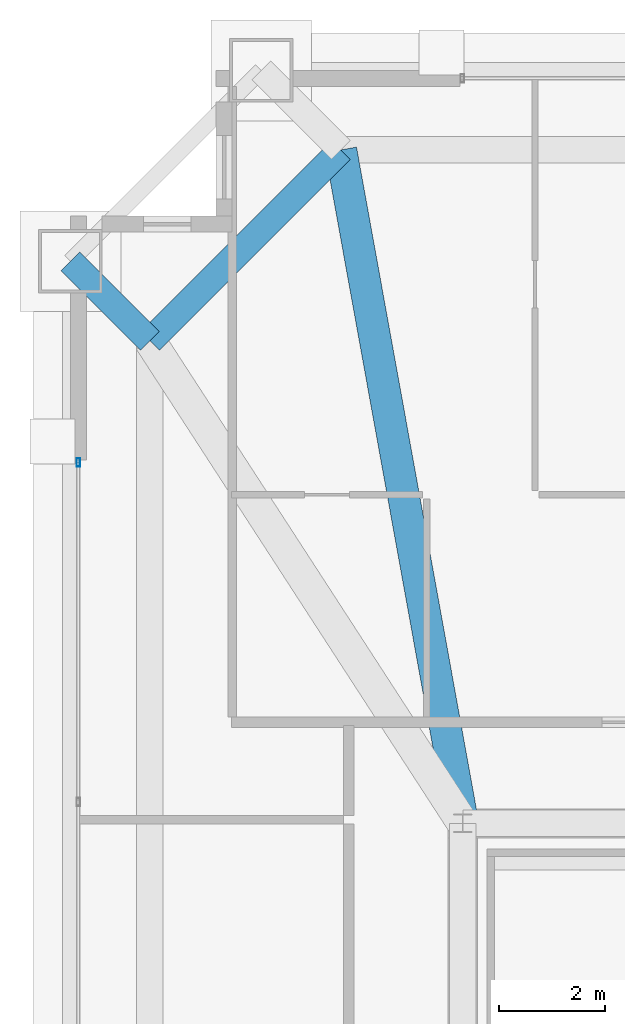
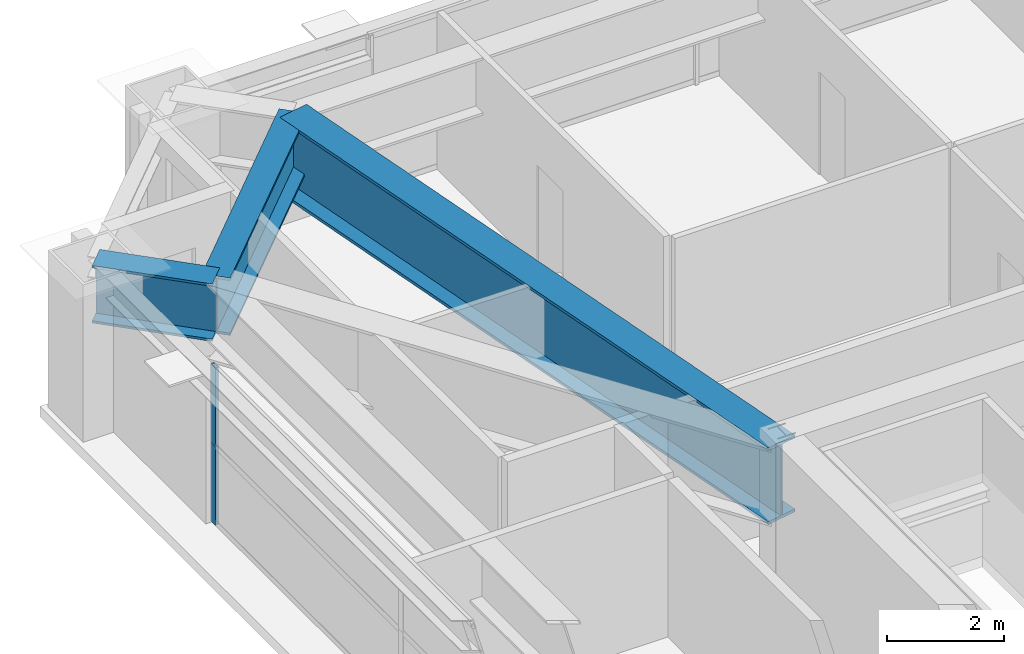
# One storey, part 20 of 33: 3 beams, 2 members, 1 element without a shape of its own.
"""IFC4 building model written with IfcOpenShell, lengths in metres."""

import ifcopenshell
import ifcopenshell.guid

model = None  # the IFC model being written
_history = None  # IfcOwnerHistory: only IFC2X3 demands one
_inside = {}  # id of a spatial element -> (the spatial element, [elements in it])
_under = {}  # id of a project, library or spatial element -> (it, [spatial elements below it])
_declared = {}  # id of a project -> (the project, [libraries it declares])
_typed = {}  # id of a type object -> (the type object, [elements of that type])
_made_of = {}  # id of a material, layer set ... -> (it, [elements and type objects made of it])


def new_model(schema):
    """Start an empty IFC model of exactly this schema.

    Asked for "IFC4X3", IfcOpenShell would pick the latest addendum, in which some entities
    have other attributes; the version numbers below select the first issue.
    IFC2X3 requires an IfcOwnerHistory on every rooted entity: one is made here for all.
    """
    global model, _history
    if schema == "IFC4X3":
        model = ifcopenshell.file(schema_version=(4, 3, 0, 0))
    else:
        model = ifcopenshell.file(schema=schema)
    _inside.clear()
    _under.clear()
    _declared.clear()
    _typed.clear()
    _made_of.clear()
    _history = None
    if model.schema == "IFC2X3":
        org = make("IfcOrganization", Name="unknown")
        user = make(
            "IfcPersonAndOrganization",
            ThePerson=make("IfcPerson", FamilyName="unknown"),
            TheOrganization=org,
        )
        app = make(
            "IfcApplication",
            ApplicationDeveloper=org,
            Version="unknown",
            ApplicationFullName="unknown",
            ApplicationIdentifier="unknown",
        )
        _history = make(
            "IfcOwnerHistory",
            OwningUser=user,
            OwningApplication=app,
            ChangeAction="ADDED",
            CreationDate=0,
        )
    return model


def make(cls, **values):
    """One entity of the class cls with the attributes given. An attribute that is None is left unset."""
    return model.create_entity(
        cls, **{name: value for name, value in values.items() if value is not None}
    )


def rooted(cls, **values):
    """An entity with a GlobalId (a new one), such as an element, a storey or a relation."""
    return make(cls, GlobalId=ifcopenshell.guid.new(), OwnerHistory=_history, **values)


def si_unit(unit_type, name, prefix=None):
    """IfcSIUnit, for example si_unit("LENGTHUNIT", "METRE", prefix="MILLI")."""
    return make("IfcSIUnit", UnitType=unit_type, Prefix=prefix, Name=name)


def assignment(units):
    """IfcUnitAssignment: the units of a project."""
    return None if units is None else make("IfcUnitAssignment", Units=units)


def point(xyz):
    """IfcCartesianPoint."""
    return None if xyz is None else make("IfcCartesianPoint", Coordinates=xyz)


def direction(xyz):
    """IfcDirection."""
    return None if xyz is None else make("IfcDirection", DirectionRatios=xyz)


def frame(location, z_axis=None, x_axis=None):
    """IfcAxis2Placement3D, a coordinate frame: its origin and axes. An axis left out is left unset."""
    return make(
        "IfcAxis2Placement3D",
        Location=point(location),
        Axis=direction(z_axis),
        RefDirection=direction(x_axis),
    )


def frame_2d(location, x_axis=None):
    """IfcAxis2Placement2D, a coordinate frame in the plane: its origin and x axis."""
    return make(
        "IfcAxis2Placement2D", Location=point(location), RefDirection=direction(x_axis)
    )


def origin():
    """The frame at (0, 0, 0) with its axes left unset."""
    return frame((0.0, 0.0, 0.0))


def origin_2d():
    """The frame at (0, 0) in the plane with its x axis left unset."""
    return frame_2d((0.0, 0.0))


def place(relative_to, where):
    """IfcLocalPlacement: puts the frame where relative to a parent placement (None: the world)."""
    return make(
        "IfcLocalPlacement", PlacementRelTo=relative_to, RelativePlacement=where
    )


def context(
    kind, dimensions, precision=None, world=None, true_north=None, identifier=None
):
    """IfcGeometricRepresentationContext, for example the 3D "Model" context."""
    return make(
        "IfcGeometricRepresentationContext",
        ContextIdentifier=identifier,
        ContextType=kind,
        CoordinateSpaceDimension=dimensions,
        Precision=precision,
        WorldCoordinateSystem=world,
        TrueNorth=true_north,
    )


def subcontext(parent, identifier, kind, view, scale=None):
    """IfcGeometricRepresentationSubContext, for example "Body" below "Model"."""
    return make(
        "IfcGeometricRepresentationSubContext",
        ContextIdentifier=identifier,
        ContextType=kind,
        ParentContext=parent,
        TargetScale=scale,
        TargetView=view,
    )


def project(units=None, contexts=None):
    """IfcProject with its units and contexts."""
    return rooted(
        "IfcProject",
        Name="project",
        RepresentationContexts=contexts,
        UnitsInContext=assignment(units),
    )


def spatial(cls, under=None, at=None, **own):
    """A site, building, storey or space (cls), placed at a placement, below another one or the project."""
    s = rooted(cls, ObjectPlacement=at, **own)
    if under is not None:
        _under.setdefault(under.id(), (under, []))[1].append(s)
    return s


def profile(cls, at=None, kind="AREA", **sizes):
    """A parametric profile (cls). Its sizes go by their IFC names, for example OverallWidth=200.0."""
    return make(cls, ProfileType=kind, Position=at, **sizes)


def hollow_rectangle(**sizes):
    """IfcRectangleHollowProfileDef."""
    return profile("IfcRectangleHollowProfileDef", **sizes)


def i_section(**sizes):
    """IfcIShapeProfileDef."""
    return profile("IfcIShapeProfileDef", **sizes)


def extrude(swept, where, along, depth):
    """IfcExtrudedAreaSolid: the profile swept, set in the frame where, extruded along a direction by depth."""
    return make(
        "IfcExtrudedAreaSolid",
        SweptArea=swept,
        Position=where,
        ExtrudedDirection=direction(along),
        Depth=depth,
    )


def shape(context_of_items, identifier, shape_type, items):
    """IfcShapeRepresentation: the items that make up one representation, for example the "Body"."""
    return make(
        "IfcShapeRepresentation",
        ContextOfItems=context_of_items,
        RepresentationIdentifier=identifier,
        RepresentationType=shape_type,
        Items=items,
    )


def source(mapping_origin, context_of_items, identifier, shape_type, items):
    """IfcRepresentationMap: a shape defined once, which mapped items show again and again."""
    return make(
        "IfcRepresentationMap",
        MappingOrigin=mapping_origin,
        MappedRepresentation=shape(context_of_items, identifier, shape_type, items),
    )


def transform(
    local_origin,
    x_axis=None,
    y_axis=None,
    z_axis=None,
    scale=None,
    scale2=None,
    scale3=None,
    uniform=True,
):
    """IfcCartesianTransformationOperator3D, or its non-uniform kind. x_axis, y_axis, z_axis: its Axis1, 2, 3."""
    if uniform:
        return make(
            "IfcCartesianTransformationOperator3D",
            Axis1=direction(x_axis),
            Axis2=direction(y_axis),
            LocalOrigin=point(local_origin),
            Scale=scale,
            Axis3=direction(z_axis),
        )
    return make(
        "IfcCartesianTransformationOperator3DnonUniform",
        Axis1=direction(x_axis),
        Axis2=direction(y_axis),
        LocalOrigin=point(local_origin),
        Scale=scale,
        Axis3=direction(z_axis),
        Scale2=scale2,
        Scale3=scale3,
    )


def mapped(mapping_source, mapping_target):
    """IfcMappedItem: shows the shape of a source again, moved by a transform."""
    return make(
        "IfcMappedItem", MappingSource=mapping_source, MappingTarget=mapping_target
    )


def material(Name=None, Category=None):
    """IfcMaterial."""
    return make("IfcMaterial", Name=Name, Category=Category)


def layer(
    of_material, thickness, ventilated=None, Name=None, Category=None, Priority=None
):
    """IfcMaterialLayer: one layer of a wall or slab, of a material (None: an air gap)."""
    return make(
        "IfcMaterialLayer",
        Material=of_material,
        LayerThickness=thickness,
        IsVentilated=ventilated,
        Name=Name,
        Category=Category,
        Priority=Priority,
    )


def layer_set(layers, Name=None):
    """IfcMaterialLayerSet."""
    return make("IfcMaterialLayerSet", MaterialLayers=layers, LayerSetName=Name)


def material_profile(
    of_material, cross_section, Name=None, Category=None, Priority=None
):
    """IfcMaterialProfile: a cross section and its material."""
    return make(
        "IfcMaterialProfile",
        Name=Name,
        Material=of_material,
        Profile=cross_section,
        Priority=Priority,
        Category=Category,
    )


def profile_set(profiles, Name=None, composite=None):
    """IfcMaterialProfileSet."""
    return make(
        "IfcMaterialProfileSet",
        Name=Name,
        MaterialProfiles=profiles,
        CompositeProfile=composite,
    )


def made_of(thing, what):
    """Note that an element or type object is made of a material, layer set ...; save() writes the relation."""
    if what is not None:
        _made_of.setdefault(what.id(), (what, []))[1].append(thing)
    return thing


def type_object(cls, material=None, **own):
    """A type object (cls), such as IfcWallType, which elements share."""
    return made_of(rooted(cls, **own), material)


def element(
    cls,
    number,
    at=None,
    inside=None,
    cuts=None,
    type_object=None,
    material=None,
    context=None,
    identifier="Body",
    shape_type=None,
    held_by="IfcProductDefinitionShape",
    body=None,
    shapes=None,
    **own,
):
    """One element of the class cls, such as IfcWall. Its Tag is "e" and its number.

    at: its placement. inside: the storey or other place that contains it. cuts: it is an
    opening in that element (IfcRelVoidsElement). A single representation is given by context,
    identifier, shape_type and body (its items); several are given by shapes. held_by: the class
    of the entity that holds the representations. save() writes the other relations.
    """
    e = rooted(cls, Tag="e%d" % number, ObjectPlacement=at, **own)
    if body is not None:
        shapes = [shape(context, identifier, shape_type, body)]
    if shapes is not None:
        e.Representation = make(held_by, Representations=shapes)
    if inside is not None:
        _inside.setdefault(inside.id(), (inside, []))[1].append(e)
    if cuts is not None:
        rooted(
            "IfcRelVoidsElement", RelatingBuildingElement=cuts, RelatedOpeningElement=e
        )
    if type_object is not None:
        _typed.setdefault(type_object.id(), (type_object, []))[1].append(e)
    return made_of(e, material)


def aggregate(whole, parts):
    """IfcRelAggregates: a whole, such as a stair, and the parts it consists of."""
    return rooted("IfcRelAggregates", RelatingObject=whole, RelatedObjects=parts)


def save(model, path):
    """Write the relations noted so far, then the file.

    IfcRelAggregates (storeys below a building ...), IfcRelContainedInSpatialStructure (elements
    in a storey), IfcRelDefinesByType, IfcRelAssociatesMaterial and IfcRelDeclares: one each for
    every whole, place, type object, material and project.
    """
    for whole, parts in _under.values():
        aggregate(whole, parts)
    for where, things in _inside.values():
        rooted(
            "IfcRelContainedInSpatialStructure",
            RelatedElements=things,
            RelatingStructure=where,
        )
    for kind, things in _typed.values():
        rooted("IfcRelDefinesByType", RelatedObjects=things, RelatingType=kind)
    for what, things in _made_of.values():
        rooted("IfcRelAssociatesMaterial", RelatedObjects=things, RelatingMaterial=what)
    for by, libraries in _declared.values():
        rooted("IfcRelDeclares", RelatingContext=by, RelatedDefinitions=libraries)
    model.write(path)


model = new_model("IFC4")

# Units and contexts
model_context = context("Model", 3, precision=1e-05, world=origin(), true_north=direction((0.0, 1.0)))
body_context = subcontext(model_context, "Body", "Model", "MODEL_VIEW")
ifc_project = project(units=[si_unit("LENGTHUNIT", "METRE"), si_unit("AREAUNIT", "SQUARE_METRE"), si_unit("VOLUMEUNIT", "CUBIC_METRE"), si_unit("PLANEANGLEUNIT", "RADIAN"), si_unit("MASSUNIT", "GRAM", prefix="KILO"), si_unit("THERMODYNAMICTEMPERATUREUNIT", "KELVIN"), si_unit("POWERUNIT", "WATT")], contexts=[model_context])

# Site, building, storey
site_placement = place(None, origin())
site = spatial("IfcSite", under=ifc_project, at=site_placement, CompositionType="ELEMENT")
building_placement = place(site_placement, origin())
building = spatial("IfcBuilding", under=site, at=building_placement, Name="Yuzanri Waterfront Tower", CompositionType="ELEMENT")
storey_placement = place(building_placement, frame((0.0, 0.0, 282.10009765625)))
storey = spatial("IfcBuildingStorey", under=building, at=storey_placement, Name="L75", CompositionType="ELEMENT", Elevation=282.10009765625)

# Beams
ifc_material_1 = material(Name="Steel Q420GJC", Category="steel")
ifc_material_profile_1 = material_profile(ifc_material_1, i_section(OverallWidth=0.5, OverallDepth=1.199951171875, WebThickness=0.028076171875, FlangeThickness=0.050048828125, at=origin_2d()), Name="PG 1200x500x28x50")
ifc_profile_set_1 = profile_set([ifc_material_profile_1], Name="Steel Q420GJC")
beam_type_1 = type_object("IfcBeamType", Name="Setback Transfer Girder Q420GJC PG 1200x500", PredefinedType="USERDEFINED", material=ifc_profile_set_1)
shared_shape_1 = source(origin(), body_context, "Body", "SweptSolid", [
    extrude(i_section(OverallWidth=0.5, OverallDepth=1.199951171875, WebThickness=0.028076171875, FlangeThickness=0.050048828125, at=origin_2d()), origin(), (0.0, 0.0, 1.0), 2.121337890625),
])
beam_1_placement = place(storey_placement, frame((17.89990234375, 41.300048828125, 2.679931640625), z_axis=(-0.707106781187, 0.707106781187, 0.0), x_axis=(-0.707106781187, -0.707106781187, 0.0)))
element("IfcBeam", 1, at=beam_1_placement, inside=storey, type_object=beam_type_1, Name="L75 Setback Step Transfer W3", ObjectType="GIRDER", PredefinedType="USERDEFINED", context=body_context, shape_type="MappedRepresentation", body=[
    mapped(shared_shape_1, transform((0.0, 0.0, 0.0), scale=1.0)),
])
shared_shape_2 = source(origin(), body_context, "Body", "SweptSolid", [
    extrude(i_section(OverallWidth=0.5, OverallDepth=1.199951171875, WebThickness=0.028076171875, FlangeThickness=0.050048828125, at=origin_2d()), origin(), (0.0, 0.0, 1.0), 5.091064453125),
])
beam_2_placement = place(storey_placement, frame((21.5, 44.89990234375, 2.679931640625), z_axis=(-0.707130757816, -0.707082803744, 0.0), x_axis=(0.707082803744, -0.707130757816, 0.0)))
element("IfcBeam", 2, at=beam_2_placement, inside=storey, type_object=beam_type_1, Name="L75 Setback Upper Ring N1-W3", ObjectType="GIRDER", PredefinedType="USERDEFINED", context=body_context, shape_type="MappedRepresentation", body=[
    mapped(shared_shape_2, transform((0.0, 0.0, 0.0), scale=1.0)),
])
ifc_material_2 = material(Name="Steel Q420GJC", Category="steel")
ifc_material_profile_2 = material_profile(ifc_material_2, i_section(OverallWidth=0.60009765625, OverallDepth=1.60009765625, WebThickness=0.031982421875, FlangeThickness=0.06005859375, at=origin_2d()), Name="PG 1600x600x32x60")
ifc_profile_set_2 = profile_set([ifc_material_profile_2], Name="Steel Q420GJC")
beam_type_2 = type_object("IfcBeamType", Name="Ballroom Transfer Girder Q420GJC PG 1600x600", PredefinedType="USERDEFINED", material=ifc_profile_set_2)
shared_shape_3 = source(origin(), body_context, "Body", "SweptSolid", [
    extrude(i_section(OverallWidth=0.60009765625, OverallDepth=1.60009765625, WebThickness=0.031982421875, FlangeThickness=0.06005859375, at=origin_2d()), origin(), (0.0, 0.0, 1.0), 12.906494140625),
])
beam_3_placement = place(storey_placement, frame((23.800048828125, 32.199951171875, 2.47998046875), z_axis=(-0.178207899331, 0.983992858011, 0.0), x_axis=(-0.983992858011, -0.178207899331, 0.0)))
element("IfcBeam", 3, at=beam_3_placement, inside=storey, type_object=beam_type_2, Name="L75 Setback Inner Transfer N1", ObjectType="GIRDER", PredefinedType="USERDEFINED", context=body_context, shape_type="MappedRepresentation", body=[
    mapped(shared_shape_3, transform((0.0, 0.0, 0.0), scale=1.0)),
])

# Curtain wall, members
ifc_material_3 = material(Name="Anodized Architectural Bronze", Category="metal")
ifc_layer = layer(ifc_material_3, 0.159912109375)
ifc_layer_set = layer_set([ifc_layer], Name="Anodized Architectural Bronze")
curtain_wall_type = type_object("IfcCurtainWallType", Name="Anodized Bronze Mid-Rise Residential Acoustic Unitized Curtain Wall 7200", PredefinedType="NOTDEFINED", material=ifc_layer_set)
curtain_wall_placement = place(storey_placement, origin())
curtain_wall = element("IfcCurtainWall", 4, at=curtain_wall_placement, inside=storey, type_object=curtain_wall_type, Name="L75 Curtain Wall CW-L75-WR", PredefinedType="NOTDEFINED")
ifc_material_4 = material(Name="Anodized Architectural Bronze", Category="metal")
ifc_material_profile_3 = material_profile(ifc_material_4, hollow_rectangle(XDim=0.06494140625, YDim=0.159912109375, WallThickness=0.00341796875, at=origin_2d()), Name="CWM 65x160")
ifc_profile_set_3 = profile_set([ifc_material_profile_3], Name="Anodized Architectural Bronze")
member_type = type_object("IfcMemberType", Name="Anodized Bronze Upper-Zone Curtain-Wall Mullion 65x160", PredefinedType="MULLION", material=ifc_profile_set_3)
shared_shape_4 = source(origin(), body_context, "Body", "SweptSolid", [
    extrude(hollow_rectangle(XDim=0.06494140625, YDim=0.159912109375, WallThickness=0.00341796875, at=origin_2d()), origin(), (0.0, 0.0, 1.0), 1.637939453125),
])
member_1_placement = place(storey_placement, frame((16.550048828125, 39.010009765625, 0.0), z_axis=(0.0, 0.0, 1.0), x_axis=(1.0, 0.0, 0.0)))
member_1 = element("IfcMember", 5, at=member_1_placement, type_object=member_type, Name="CW-L75-WR Lower Mullion 02", PredefinedType="MULLION", context=body_context, shape_type="MappedRepresentation", body=[
    mapped(shared_shape_4, transform((0.0, 0.0, 0.0), scale=1.0)),
])
member_2_placement = place(storey_placement, frame((16.550048828125, 39.010009765625, 1.641845703125), z_axis=(0.0, 0.0, 1.0), x_axis=(1.0, 0.0, 0.0)))
member_2 = element("IfcMember", 6, at=member_2_placement, type_object=member_type, Name="CW-L75-WR Upper Mullion 02", PredefinedType="MULLION", context=body_context, shape_type="MappedRepresentation", body=[
    mapped(shared_shape_4, transform((0.0, 0.0, 0.0), scale=1.0)),
])
aggregate(curtain_wall, [member_1, member_2])

save(model, "model.ifc")
